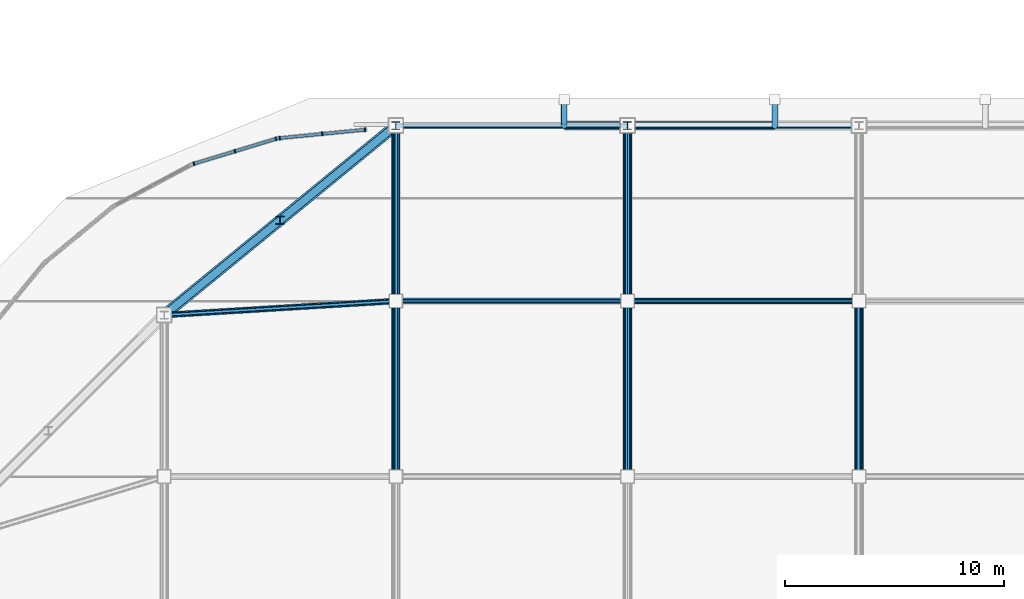
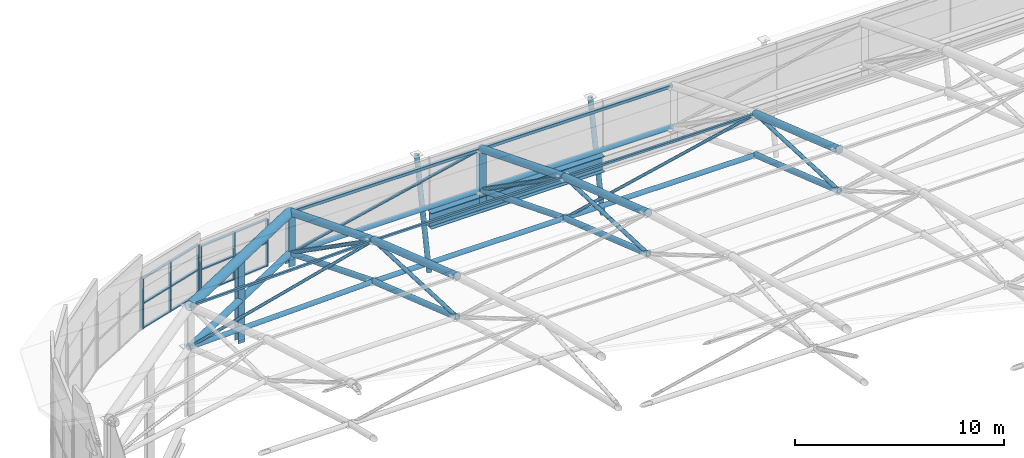
# One storey, part 22 of 42: 53 members, 1 beam, 2 elements without a shape of their own.
"""IFC4 building model written with IfcOpenShell, lengths in metres."""

import ifcopenshell
import ifcopenshell.guid

model = None  # the IFC model being written
_history = None  # IfcOwnerHistory: only IFC2X3 demands one
_inside = {}  # id of a spatial element -> (the spatial element, [elements in it])
_under = {}  # id of a project, library or spatial element -> (it, [spatial elements below it])
_declared = {}  # id of a project -> (the project, [libraries it declares])
_typed = {}  # id of a type object -> (the type object, [elements of that type])
_made_of = {}  # id of a material, layer set ... -> (it, [elements and type objects made of it])


def new_model(schema):
    """Start an empty IFC model of exactly this schema.

    Asked for "IFC4X3", IfcOpenShell would pick the latest addendum, in which some entities
    have other attributes; the version numbers below select the first issue.
    IFC2X3 requires an IfcOwnerHistory on every rooted entity: one is made here for all.
    """
    global model, _history
    if schema == "IFC4X3":
        model = ifcopenshell.file(schema_version=(4, 3, 0, 0))
    else:
        model = ifcopenshell.file(schema=schema)
    _inside.clear()
    _under.clear()
    _declared.clear()
    _typed.clear()
    _made_of.clear()
    _history = None
    if model.schema == "IFC2X3":
        org = make("IfcOrganization", Name="unknown")
        user = make(
            "IfcPersonAndOrganization",
            ThePerson=make("IfcPerson", FamilyName="unknown"),
            TheOrganization=org,
        )
        app = make(
            "IfcApplication",
            ApplicationDeveloper=org,
            Version="unknown",
            ApplicationFullName="unknown",
            ApplicationIdentifier="unknown",
        )
        _history = make(
            "IfcOwnerHistory",
            OwningUser=user,
            OwningApplication=app,
            ChangeAction="ADDED",
            CreationDate=0,
        )
    return model


def make(cls, **values):
    """One entity of the class cls with the attributes given. An attribute that is None is left unset."""
    return model.create_entity(
        cls, **{name: value for name, value in values.items() if value is not None}
    )


def rooted(cls, **values):
    """An entity with a GlobalId (a new one), such as an element, a storey or a relation."""
    return make(cls, GlobalId=ifcopenshell.guid.new(), OwnerHistory=_history, **values)


def si_unit(unit_type, name, prefix=None):
    """IfcSIUnit, for example si_unit("LENGTHUNIT", "METRE", prefix="MILLI")."""
    return make("IfcSIUnit", UnitType=unit_type, Prefix=prefix, Name=name)


def assignment(units):
    """IfcUnitAssignment: the units of a project."""
    return None if units is None else make("IfcUnitAssignment", Units=units)


def point(xyz):
    """IfcCartesianPoint."""
    return None if xyz is None else make("IfcCartesianPoint", Coordinates=xyz)


def direction(xyz):
    """IfcDirection."""
    return None if xyz is None else make("IfcDirection", DirectionRatios=xyz)


def frame(location, z_axis=None, x_axis=None):
    """IfcAxis2Placement3D, a coordinate frame: its origin and axes. An axis left out is left unset."""
    return make(
        "IfcAxis2Placement3D",
        Location=point(location),
        Axis=direction(z_axis),
        RefDirection=direction(x_axis),
    )


def frame_2d(location, x_axis=None):
    """IfcAxis2Placement2D, a coordinate frame in the plane: its origin and x axis."""
    return make(
        "IfcAxis2Placement2D", Location=point(location), RefDirection=direction(x_axis)
    )


def origin():
    """The frame at (0, 0, 0) with its axes left unset."""
    return frame((0.0, 0.0, 0.0))


def origin_2d():
    """The frame at (0, 0) in the plane with its x axis left unset."""
    return frame_2d((0.0, 0.0))


def place(relative_to, where):
    """IfcLocalPlacement: puts the frame where relative to a parent placement (None: the world)."""
    return make(
        "IfcLocalPlacement", PlacementRelTo=relative_to, RelativePlacement=where
    )


def context(
    kind, dimensions, precision=None, world=None, true_north=None, identifier=None
):
    """IfcGeometricRepresentationContext, for example the 3D "Model" context."""
    return make(
        "IfcGeometricRepresentationContext",
        ContextIdentifier=identifier,
        ContextType=kind,
        CoordinateSpaceDimension=dimensions,
        Precision=precision,
        WorldCoordinateSystem=world,
        TrueNorth=true_north,
    )


def subcontext(parent, identifier, kind, view, scale=None):
    """IfcGeometricRepresentationSubContext, for example "Body" below "Model"."""
    return make(
        "IfcGeometricRepresentationSubContext",
        ContextIdentifier=identifier,
        ContextType=kind,
        ParentContext=parent,
        TargetScale=scale,
        TargetView=view,
    )


def project(units=None, contexts=None):
    """IfcProject with its units and contexts."""
    return rooted(
        "IfcProject",
        Name="project",
        RepresentationContexts=contexts,
        UnitsInContext=assignment(units),
    )


def spatial(cls, under=None, at=None, **own):
    """A site, building, storey or space (cls), placed at a placement, below another one or the project."""
    s = rooted(cls, ObjectPlacement=at, **own)
    if under is not None:
        _under.setdefault(under.id(), (under, []))[1].append(s)
    return s


def profile(cls, at=None, kind="AREA", **sizes):
    """A parametric profile (cls). Its sizes go by their IFC names, for example OverallWidth=200.0."""
    return make(cls, ProfileType=kind, Position=at, **sizes)


def rectangle(**sizes):
    """IfcRectangleProfileDef."""
    return profile("IfcRectangleProfileDef", **sizes)


def hollow_rectangle(**sizes):
    """IfcRectangleHollowProfileDef."""
    return profile("IfcRectangleHollowProfileDef", **sizes)


def hollow_circle(**sizes):
    """IfcCircleHollowProfileDef."""
    return profile("IfcCircleHollowProfileDef", **sizes)


def i_section(**sizes):
    """IfcIShapeProfileDef."""
    return profile("IfcIShapeProfileDef", **sizes)


def extrude(swept, where, along, depth):
    """IfcExtrudedAreaSolid: the profile swept, set in the frame where, extruded along a direction by depth."""
    return make(
        "IfcExtrudedAreaSolid",
        SweptArea=swept,
        Position=where,
        ExtrudedDirection=direction(along),
        Depth=depth,
    )


def shape(context_of_items, identifier, shape_type, items):
    """IfcShapeRepresentation: the items that make up one representation, for example the "Body"."""
    return make(
        "IfcShapeRepresentation",
        ContextOfItems=context_of_items,
        RepresentationIdentifier=identifier,
        RepresentationType=shape_type,
        Items=items,
    )


def material(Name=None, Category=None):
    """IfcMaterial."""
    return make("IfcMaterial", Name=Name, Category=Category)


def layer(
    of_material, thickness, ventilated=None, Name=None, Category=None, Priority=None
):
    """IfcMaterialLayer: one layer of a wall or slab, of a material (None: an air gap)."""
    return make(
        "IfcMaterialLayer",
        Material=of_material,
        LayerThickness=thickness,
        IsVentilated=ventilated,
        Name=Name,
        Category=Category,
        Priority=Priority,
    )


def layer_set(layers, Name=None):
    """IfcMaterialLayerSet."""
    return make("IfcMaterialLayerSet", MaterialLayers=layers, LayerSetName=Name)


def material_profile(
    of_material, cross_section, Name=None, Category=None, Priority=None
):
    """IfcMaterialProfile: a cross section and its material."""
    return make(
        "IfcMaterialProfile",
        Name=Name,
        Material=of_material,
        Profile=cross_section,
        Priority=Priority,
        Category=Category,
    )


def profile_set(profiles, Name=None, composite=None):
    """IfcMaterialProfileSet."""
    return make(
        "IfcMaterialProfileSet",
        Name=Name,
        MaterialProfiles=profiles,
        CompositeProfile=composite,
    )


def made_of(thing, what):
    """Note that an element or type object is made of a material, layer set ...; save() writes the relation."""
    if what is not None:
        _made_of.setdefault(what.id(), (what, []))[1].append(thing)
    return thing


def type_object(cls, material=None, **own):
    """A type object (cls), such as IfcWallType, which elements share."""
    return made_of(rooted(cls, **own), material)


def element(
    cls,
    number,
    at=None,
    inside=None,
    cuts=None,
    type_object=None,
    material=None,
    context=None,
    identifier="Body",
    shape_type=None,
    held_by="IfcProductDefinitionShape",
    body=None,
    shapes=None,
    **own,
):
    """One element of the class cls, such as IfcWall. Its Tag is "e" and its number.

    at: its placement. inside: the storey or other place that contains it. cuts: it is an
    opening in that element (IfcRelVoidsElement). A single representation is given by context,
    identifier, shape_type and body (its items); several are given by shapes. held_by: the class
    of the entity that holds the representations. save() writes the other relations.
    """
    e = rooted(cls, Tag="e%d" % number, ObjectPlacement=at, **own)
    if body is not None:
        shapes = [shape(context, identifier, shape_type, body)]
    if shapes is not None:
        e.Representation = make(held_by, Representations=shapes)
    if inside is not None:
        _inside.setdefault(inside.id(), (inside, []))[1].append(e)
    if cuts is not None:
        rooted(
            "IfcRelVoidsElement", RelatingBuildingElement=cuts, RelatedOpeningElement=e
        )
    if type_object is not None:
        _typed.setdefault(type_object.id(), (type_object, []))[1].append(e)
    return made_of(e, material)


def aggregate(whole, parts):
    """IfcRelAggregates: a whole, such as a stair, and the parts it consists of."""
    return rooted("IfcRelAggregates", RelatingObject=whole, RelatedObjects=parts)


def save(model, path):
    """Write the relations noted so far, then the file.

    IfcRelAggregates (storeys below a building ...), IfcRelContainedInSpatialStructure (elements
    in a storey), IfcRelDefinesByType, IfcRelAssociatesMaterial and IfcRelDeclares: one each for
    every whole, place, type object, material and project.
    """
    for whole, parts in _under.values():
        aggregate(whole, parts)
    for where, things in _inside.values():
        rooted(
            "IfcRelContainedInSpatialStructure",
            RelatedElements=things,
            RelatingStructure=where,
        )
    for kind, things in _typed.values():
        rooted("IfcRelDefinesByType", RelatedObjects=things, RelatingType=kind)
    for what, things in _made_of.values():
        rooted("IfcRelAssociatesMaterial", RelatedObjects=things, RelatingMaterial=what)
    for by, libraries in _declared.values():
        rooted("IfcRelDeclares", RelatingContext=by, RelatedDefinitions=libraries)
    model.write(path)


model = new_model("IFC4")

# Units and contexts
model_context = context("Model", 3, precision=1e-05, world=origin(), true_north=direction((0.0, 1.0)))
body_context = subcontext(model_context, "Body", "Model", "MODEL_VIEW")
ifc_project = project(units=[si_unit("LENGTHUNIT", "METRE"), si_unit("AREAUNIT", "SQUARE_METRE"), si_unit("VOLUMEUNIT", "CUBIC_METRE"), si_unit("PLANEANGLEUNIT", "RADIAN"), si_unit("MASSUNIT", "GRAM", prefix="KILO")], contexts=[model_context])

# Site, building, storey
site_placement = place(None, origin())
site = spatial("IfcSite", under=ifc_project, at=site_placement, CompositionType="ELEMENT")
building_placement = place(site_placement, origin())
building = spatial("IfcBuilding", under=site, at=building_placement, Name="Caelomonte Colonnade Arena", CompositionType="ELEMENT")
storey_placement = place(building_placement, frame((0.0, 0.0, 28.199951171875)))
storey = spatial("IfcBuildingStorey", under=building, at=storey_placement, Name="RF", CompositionType="ELEMENT", Elevation=28.199951171875)

# Curtain wall, members
ifc_material_1 = material(Name="Bronze anodised aluminium and low-E glazing", Category="aluminium")
ifc_layer_1 = layer(ifc_material_1, 0.179931640625)
ifc_layer_set_1 = layer_set([ifc_layer_1], Name="Bronze anodised aluminium and low-E glazing")
curtain_wall_type_1 = type_object("IfcCurtainWallType", Name="ENV-CW-CW-TYMPC-01-28", PredefinedType="USERDEFINED", material=ifc_layer_set_1)
curtain_wall_1_placement = place(storey_placement, origin())
curtain_wall_1 = element("IfcCurtainWall", 1, at=curtain_wall_1_placement, inside=storey, type_object=curtain_wall_type_1, Name="Barrel arch rounded corner clerestory curtain wall 17", ObjectType="UNITIZED CURTAIN WALL", PredefinedType="USERDEFINED")
ifc_material_2 = material(Name="Bronze anodised aluminium AA6063-T6", Category="aluminium")
ifc_material_profile_1 = material_profile(ifc_material_2, rectangle(XDim=0.070068359375, YDim=0.179931640625, at=origin_2d()), Name="CWM-70X180")
ifc_profile_set_1 = profile_set([ifc_material_profile_1], Name="Bronze anodised aluminium AA6063-T6")
member_type_1 = type_object("IfcMemberType", Name="ENV-CW-MULL1", PredefinedType="MULLION", material=ifc_profile_set_1)
member_1_placement = place(storey_placement, frame((77.3154296875, 115.01171875, -0.14990234375), z_axis=(0.0, 0.0, 1.0), x_axis=(-0.995183320356, -0.098031417843, 0.0)))
member_1 = element("IfcMember", 2, at=member_1_placement, type_object=member_type_1, Name="CW-TYMPC-01-28 mullion 1", PredefinedType="MULLION", context=body_context, shape_type="SweptSolid", body=[
    extrude(rectangle(XDim=0.070068359375, YDim=0.179931640625, at=origin_2d()), origin(), (0.0, 0.0, 1.0), 2.7763671875),
])
member_2_placement = place(storey_placement, frame((75.369140625, 114.820068359375, -0.14990234375), z_axis=(0.0, 0.0, 1.0), x_axis=(-0.995183320356, -0.098031417843, 0.0)))
member_2 = element("IfcMember", 3, at=member_2_placement, type_object=member_type_1, Name="CW-TYMPC-01-28 mullion 2", PredefinedType="MULLION", context=body_context, shape_type="SweptSolid", body=[
    extrude(rectangle(XDim=0.070068359375, YDim=0.179931640625, at=origin_2d()), origin(), (0.0, 0.0, 1.0), 2.7763671875),
])
member_3_placement = place(storey_placement, frame((73.4228515625, 114.628173828125, -0.14990234375), z_axis=(0.0, 0.0, 1.0), x_axis=(-0.995183320356, -0.098031417843, 0.0)))
member_3 = element("IfcMember", 4, at=member_3_placement, type_object=member_type_1, Name="CW-TYMPC-01-28 mullion 3", PredefinedType="MULLION", context=body_context, shape_type="SweptSolid", body=[
    extrude(rectangle(XDim=0.070068359375, YDim=0.179931640625, at=origin_2d()), origin(), (0.0, 0.0, 1.0), 2.7763671875),
])

ifc_layer_2 = layer(ifc_material_1, 0.179931640625)
ifc_layer_set_2 = layer_set([ifc_layer_2], Name="Bronze anodised aluminium and low-E glazing")
curtain_wall_type_2 = type_object("IfcCurtainWallType", Name="ENV-CW-CW-TYMPC-02-29", PredefinedType="USERDEFINED", material=ifc_layer_set_2)
curtain_wall_2_placement = place(storey_placement, origin())
curtain_wall_2 = element("IfcCurtainWall", 5, at=curtain_wall_2_placement, inside=storey, type_object=curtain_wall_type_2, Name="Barrel arch rounded corner clerestory curtain wall 18", ObjectType="UNITIZED CURTAIN WALL", PredefinedType="USERDEFINED")
member_4_placement = place(storey_placement, frame((73.2568359375, 114.59521484375, -0.14990234375), z_axis=(0.0, 0.0, 1.0), x_axis=(-0.956945999811, -0.290266004632, 0.0)))
member_4 = element("IfcMember", 6, at=member_4_placement, type_object=member_type_1, Name="CW-TYMPC-02-29 mullion 1", PredefinedType="MULLION", context=body_context, shape_type="SweptSolid", body=[
    extrude(rectangle(XDim=0.070068359375, YDim=0.179931640625, at=origin_2d()), origin(), (0.0, 0.0, 1.0), 2.945556640625),
])
member_5_placement = place(storey_placement, frame((71.38525390625, 114.027587890625, -0.14990234375), z_axis=(0.0, 0.0, 1.0), x_axis=(-0.956945999811, -0.290266004632, 0.0)))
member_5 = element("IfcMember", 7, at=member_5_placement, type_object=member_type_1, Name="CW-TYMPC-02-29 mullion 2", PredefinedType="MULLION", context=body_context, shape_type="SweptSolid", body=[
    extrude(rectangle(XDim=0.070068359375, YDim=0.179931640625, at=origin_2d()), origin(), (0.0, 0.0, 1.0), 2.945556640625),
])
member_6_placement = place(storey_placement, frame((69.513671875, 113.4599609375, -0.14990234375), z_axis=(0.0, 0.0, 1.0), x_axis=(-0.956945999811, -0.290266004632, 0.0)))
member_6 = element("IfcMember", 8, at=member_6_placement, type_object=member_type_1, Name="CW-TYMPC-02-29 mullion 3", PredefinedType="MULLION", context=body_context, shape_type="SweptSolid", body=[
    extrude(rectangle(XDim=0.070068359375, YDim=0.179931640625, at=origin_2d()), origin(), (0.0, 0.0, 1.0), 2.945556640625),
])

# Member
ifc_material_profile_2 = material_profile(ifc_material_2, rectangle(XDim=0.070068359375, YDim=0.139892578125, at=origin_2d()), Name="CWT-70X140")
ifc_profile_set_2 = profile_set([ifc_material_profile_2], Name="Bronze anodised aluminium AA6063-T6")
member_type_2 = type_object("IfcMemberType", Name="ENV-CW-TRAN1", PredefinedType="USERDEFINED", material=ifc_profile_set_2)
member_7_placement = place(storey_placement, frame((77.280517578125, 115.00830078125, -0.114990234375), z_axis=(-0.995184788891, -0.098016508612, 0.0), x_axis=(0.0, 0.0, 1.0)))
member_7 = element("IfcMember", 9, at=member_7_placement, type_object=member_type_2, Name="CW-TYMPC-01-28 transom 1.1", ObjectType="TRANSOM", PredefinedType="USERDEFINED", context=body_context, shape_type="SweptSolid", body=[
    extrude(rectangle(XDim=0.070068359375, YDim=0.139892578125, at=origin_2d()), origin(), (0.0, 0.0, 1.0), 1.885498046875),
])

member_8_placement = place(storey_placement, frame((77.280517578125, 115.00830078125, 1.23828125), z_axis=(-0.995184788891, -0.098016508612, 0.0), x_axis=(0.0, 0.0, 1.0)))
member_8 = element("IfcMember", 10, at=member_8_placement, type_object=member_type_2, Name="CW-TYMPC-01-28 transom 1.2", ObjectType="TRANSOM", PredefinedType="USERDEFINED", context=body_context, shape_type="SweptSolid", body=[
    extrude(rectangle(XDim=0.070068359375, YDim=0.139892578125, at=origin_2d()), origin(), (0.0, 0.0, 1.0), 1.885498046875),
])

member_9_placement = place(storey_placement, frame((77.280517578125, 115.00830078125, 2.591552734375), z_axis=(-0.995184788891, -0.098016508612, 0.0), x_axis=(0.0, 0.0, 1.0)))
member_9 = element("IfcMember", 11, at=member_9_placement, type_object=member_type_2, Name="CW-TYMPC-01-28 transom 1.3", ObjectType="TRANSOM", PredefinedType="USERDEFINED", context=body_context, shape_type="SweptSolid", body=[
    extrude(rectangle(XDim=0.070068359375, YDim=0.139892578125, at=origin_2d()), origin(), (0.0, 0.0, 1.0), 1.885498046875),
])

member_10_placement = place(storey_placement, frame((75.334228515625, 114.81640625, -0.114990234375), z_axis=(-0.995184788891, -0.098016508612, 0.0), x_axis=(0.0, 0.0, 1.0)))
member_10 = element("IfcMember", 12, at=member_10_placement, type_object=member_type_2, Name="CW-TYMPC-01-28 transom 2.1", ObjectType="TRANSOM", PredefinedType="USERDEFINED", context=body_context, shape_type="SweptSolid", body=[
    extrude(rectangle(XDim=0.070068359375, YDim=0.139892578125, at=origin_2d()), origin(), (0.0, 0.0, 1.0), 1.885498046875),
])

member_11_placement = place(storey_placement, frame((75.334228515625, 114.81640625, 1.23828125), z_axis=(-0.995184788891, -0.098016508612, 0.0), x_axis=(0.0, 0.0, 1.0)))
member_11 = element("IfcMember", 13, at=member_11_placement, type_object=member_type_2, Name="CW-TYMPC-01-28 transom 2.2", ObjectType="TRANSOM", PredefinedType="USERDEFINED", context=body_context, shape_type="SweptSolid", body=[
    extrude(rectangle(XDim=0.070068359375, YDim=0.139892578125, at=origin_2d()), origin(), (0.0, 0.0, 1.0), 1.885498046875),
])

member_12_placement = place(storey_placement, frame((75.334228515625, 114.81640625, 2.591552734375), z_axis=(-0.995184788891, -0.098016508612, 0.0), x_axis=(0.0, 0.0, 1.0)))
member_12 = element("IfcMember", 14, at=member_12_placement, type_object=member_type_2, Name="CW-TYMPC-01-28 transom 2.3", ObjectType="TRANSOM", PredefinedType="USERDEFINED", context=body_context, shape_type="SweptSolid", body=[
    extrude(rectangle(XDim=0.070068359375, YDim=0.139892578125, at=origin_2d()), origin(), (0.0, 0.0, 1.0), 1.885498046875),
])

aggregate(curtain_wall_1, [member_1, member_2, member_3, member_7, member_8, member_9, member_10, member_11, member_12])

member_13_placement = place(storey_placement, frame((73.223388671875, 114.5849609375, -0.114990234375), z_axis=(-0.956941606706, -0.290280487381, 0.0), x_axis=(0.0, 0.0, 1.0)))
member_13 = element("IfcMember", 15, at=member_13_placement, type_object=member_type_2, Name="CW-TYMPC-02-29 transom 1.1", ObjectType="TRANSOM", PredefinedType="USERDEFINED", context=body_context, shape_type="SweptSolid", body=[
    extrude(rectangle(XDim=0.070068359375, YDim=0.139892578125, at=origin_2d()), origin(), (0.0, 0.0, 1.0), 1.8857421875),
])

member_14_placement = place(storey_placement, frame((73.223388671875, 114.5849609375, 1.32275390625), z_axis=(-0.956941606706, -0.290280487381, 0.0), x_axis=(0.0, 0.0, 1.0)))
member_14 = element("IfcMember", 16, at=member_14_placement, type_object=member_type_2, Name="CW-TYMPC-02-29 transom 1.2", ObjectType="TRANSOM", PredefinedType="USERDEFINED", context=body_context, shape_type="SweptSolid", body=[
    extrude(rectangle(XDim=0.070068359375, YDim=0.139892578125, at=origin_2d()), origin(), (0.0, 0.0, 1.0), 1.8857421875),
])

member_15_placement = place(storey_placement, frame((73.223388671875, 114.5849609375, 2.760498046875), z_axis=(-0.956941606706, -0.290280487381, 0.0), x_axis=(0.0, 0.0, 1.0)))
member_15 = element("IfcMember", 17, at=member_15_placement, type_object=member_type_2, Name="CW-TYMPC-02-29 transom 1.3", ObjectType="TRANSOM", PredefinedType="USERDEFINED", context=body_context, shape_type="SweptSolid", body=[
    extrude(rectangle(XDim=0.070068359375, YDim=0.139892578125, at=origin_2d()), origin(), (0.0, 0.0, 1.0), 1.8857421875),
])

member_16_placement = place(storey_placement, frame((71.351806640625, 114.017333984375, -0.114990234375), z_axis=(-0.956941606706, -0.290280487381, 0.0), x_axis=(0.0, 0.0, 1.0)))
member_16 = element("IfcMember", 18, at=member_16_placement, type_object=member_type_2, Name="CW-TYMPC-02-29 transom 2.1", ObjectType="TRANSOM", PredefinedType="USERDEFINED", context=body_context, shape_type="SweptSolid", body=[
    extrude(rectangle(XDim=0.070068359375, YDim=0.139892578125, at=origin_2d()), origin(), (0.0, 0.0, 1.0), 1.8857421875),
])

member_17_placement = place(storey_placement, frame((71.351806640625, 114.017333984375, 1.32275390625), z_axis=(-0.956941606706, -0.290280487381, 0.0), x_axis=(0.0, 0.0, 1.0)))
member_17 = element("IfcMember", 19, at=member_17_placement, type_object=member_type_2, Name="CW-TYMPC-02-29 transom 2.2", ObjectType="TRANSOM", PredefinedType="USERDEFINED", context=body_context, shape_type="SweptSolid", body=[
    extrude(rectangle(XDim=0.070068359375, YDim=0.139892578125, at=origin_2d()), origin(), (0.0, 0.0, 1.0), 1.8857421875),
])

member_18_placement = place(storey_placement, frame((71.351806640625, 114.017333984375, 2.760498046875), z_axis=(-0.956941606706, -0.290280487381, 0.0), x_axis=(0.0, 0.0, 1.0)))
member_18 = element("IfcMember", 20, at=member_18_placement, type_object=member_type_2, Name="CW-TYMPC-02-29 transom 2.3", ObjectType="TRANSOM", PredefinedType="USERDEFINED", context=body_context, shape_type="SweptSolid", body=[
    extrude(rectangle(XDim=0.070068359375, YDim=0.139892578125, at=origin_2d()), origin(), (0.0, 0.0, 1.0), 1.8857421875),
])

aggregate(curtain_wall_2, [member_4, member_5, member_6, member_13, member_14, member_15, member_16, member_17, member_18])

# Beam
ifc_material_3 = material(Name="Wide-flange steel ASTM A992 Grade 50", Category="steel")
ifc_material_profile_3 = material_profile(ifc_material_3, i_section(OverallWidth=0.418212890625, OverallDepth=0.927001953125, WebThickness=0.019287109375, FlangeThickness=0.031982421875, FilletRadius=0.024169921875, at=origin_2d()), Name="W36X231")
ifc_profile_set_3 = profile_set([ifc_material_profile_3], Name="Wide-flange steel ASTM A992 Grade 50")
beam_type = type_object("IfcBeamType", Name="STR-BM-EAVES1", PredefinedType="SPANDREL", material=ifc_profile_set_3)
beam_placement = place(storey_placement, frame((86.408203125, 115.199951171875, -0.743408203125), z_axis=(1.0, 0.0, 0.0), x_axis=(0.0, 1.0, 0.0)))
element("IfcBeam", 21, at=beam_placement, inside=storey, type_object=beam_type, Name="RF girder BMX-RF-0864-1152", PredefinedType="SPANDREL", context=body_context, shape_type="SweptSolid", body=[
    extrude(i_section(OverallWidth=0.418212890625, OverallDepth=0.927001953125, WebThickness=0.019287109375, FlangeThickness=0.031982421875, FilletRadius=0.024169921875, at=origin_2d()), origin(), (0.0, 0.0, 1.0), 9.58349609375),
])

# Members
ifc_material_profile_4 = material_profile(ifc_material_3, i_section(OverallWidth=0.368896484375, OverallDepth=0.356201171875, WebThickness=0.01123046875, FlangeThickness=0.01806640625, FilletRadius=0.01513671875, at=origin_2d()), Name="W14X90")
ifc_profile_set_4 = profile_set([ifc_material_profile_4], Name="Wide-flange steel ASTM A992 Grade 50")
member_type_3 = type_object("IfcMemberType", Name="STR-CAT-STR", PredefinedType="STRUT", material=ifc_profile_set_4)
for number, where, z_axis, x_axis, name in (
    (22, (78.719970703125, 115.199951171875, -0.699951171875), (0.0, 0.0, 1.0), (1.0, 0.0, 0.0), "Roof truss eaves bearing post 2-12"),
    (23, (89.280029296875, 115.199951171875, -0.699951171875), (0.0, 0.0, 1.0), (1.0, 0.0, 0.0), "Roof truss eaves bearing post 3-12"),
):
    element("IfcMember", number, at=place(storey_placement, frame(where, z_axis=z_axis, x_axis=x_axis)), inside=storey, type_object=member_type_3, Name=name, PredefinedType="STRUT", context=body_context, shape_type="SweptSolid", body=[
        extrude(i_section(OverallWidth=0.368896484375, OverallDepth=0.356201171875, WebThickness=0.01123046875, FlangeThickness=0.01806640625, FilletRadius=0.01513671875, at=origin_2d()), origin(), (0.0, 0.0, 1.0), 3.10009765625),
    ])
member_19_placement = place(storey_placement, frame((73.43994140625, 110.8798828125, -0.699951171875), z_axis=(0.0, 0.0, 1.0), x_axis=(1.0, 0.0, 0.0)))
element("IfcMember", 24, at=member_19_placement, inside=storey, type_object=member_type_3, Name="Rounded corner roof Vierendeel post NW-1", PredefinedType="STRUT", context=body_context, shape_type="SweptSolid", body=[
    extrude(i_section(OverallWidth=0.368896484375, OverallDepth=0.356201171875, WebThickness=0.01123046875, FlangeThickness=0.01806640625, FilletRadius=0.01513671875, at=origin_2d()), origin(), (0.0, 0.0, 1.0), 4.810546875),
])
ifc_material_4 = material(Name="Steel ASTM A500 Grade C", Category="steel")
ifc_material_profile_5 = material_profile(ifc_material_4, hollow_circle(Radius=0.177734375, WallThickness=0.0126953125, at=origin_2d()), Name="CHS355.6X12.7")
ifc_profile_set_5 = profile_set([ifc_material_profile_5], Name="Steel ASTM A500 Grade C")
member_type_4 = type_object("IfcMemberType", Name="STR-SF-BC1", PredefinedType="CHORD", material=ifc_profile_set_5)
member_20_placement = place(storey_placement, frame((78.718505859375, 115.19873046875, 0.00048828125), z_axis=(-0.750717484675, -0.614223396552, 0.243213645448), x_axis=(0.633237790257, -0.773957299203, 0.0)))
element("IfcMember", 25, at=member_20_placement, inside=storey, type_object=member_type_4, Name="Rounded corner roof bottom chord NW-1", PredefinedType="CHORD", context=body_context, shape_type="SweptSolid", body=[
    extrude(hollow_circle(Radius=0.177734375, WallThickness=0.0126953125, at=origin_2d()), origin(), (0.0, 0.0, 1.0), 14.0625),
])
ifc_material_profile_6 = material_profile(ifc_material_4, hollow_circle(Radius=0.161865234375, WallThickness=0.010009765625, at=origin_2d()), Name="CHS323.9X10.0")
ifc_profile_set_6 = profile_set([ifc_material_profile_6], Name="Steel ASTM A500 Grade C")
member_type_5 = type_object("IfcMemberType", Name="STR-SF-BC2", PredefinedType="CHORD", material=ifc_profile_set_6)
member_21_placement = place(storey_placement, frame((78.719970703125, 99.201904296875, 5.935302734375), z_axis=(0.0, 0.945655527912, -0.325170143971), x_axis=(-1.0, 0.0, 0.0)))
element("IfcMember", 26, at=member_21_placement, inside=storey, type_object=member_type_5, Name="Arched roof truss bottom chord 2-10", PredefinedType="CHORD", context=body_context, shape_type="SweptSolid", body=[
    extrude(hollow_circle(Radius=0.161865234375, WallThickness=0.010009765625, at=origin_2d()), origin(), (0.0, 0.0, 1.0), 8.45556640625),
])
member_22_placement = place(storey_placement, frame((78.719970703125, 107.201904296875, 3.184326171875), z_axis=(0.0, 0.929070225575, -0.36990338732), x_axis=(-1.0, 0.0, 0.0)))
element("IfcMember", 27, at=member_22_placement, inside=storey, type_object=member_type_5, Name="Arched roof truss bottom chord 2-11", PredefinedType="CHORD", context=body_context, shape_type="SweptSolid", body=[
    extrude(hollow_circle(Radius=0.161865234375, WallThickness=0.010009765625, at=origin_2d()), origin(), (0.0, 0.0, 1.0), 8.6064453125),
])
member_23_placement = place(storey_placement, frame((89.280029296875, 99.201904296875, 5.935302734375), z_axis=(0.0, 0.945655527912, -0.325170143971), x_axis=(-1.0, 0.0, 0.0)))
element("IfcMember", 28, at=member_23_placement, inside=storey, type_object=member_type_5, Name="Arched roof truss bottom chord 3-10", PredefinedType="CHORD", context=body_context, shape_type="SweptSolid", body=[
    extrude(hollow_circle(Radius=0.161865234375, WallThickness=0.010009765625, at=origin_2d()), origin(), (0.0, 0.0, 1.0), 8.45556640625),
])
member_24_placement = place(storey_placement, frame((89.280029296875, 107.201904296875, 3.184326171875), z_axis=(0.0, 0.929070225575, -0.36990338732), x_axis=(-1.0, 0.0, 0.0)))
element("IfcMember", 29, at=member_24_placement, inside=storey, type_object=member_type_5, Name="Arched roof truss bottom chord 3-11", PredefinedType="CHORD", context=body_context, shape_type="SweptSolid", body=[
    extrude(hollow_circle(Radius=0.161865234375, WallThickness=0.010009765625, at=origin_2d()), origin(), (0.0, 0.0, 1.0), 8.6064453125),
])
member_25_placement = place(storey_placement, frame((99.840087890625, 99.201904296875, 5.935302734375), z_axis=(0.0, 0.945655527912, -0.325170143971), x_axis=(-1.0, 0.0, 0.0)))
element("IfcMember", 30, at=member_25_placement, inside=storey, type_object=member_type_5, Name="Arched roof truss bottom chord 4-10", PredefinedType="CHORD", context=body_context, shape_type="SweptSolid", body=[
    extrude(hollow_circle(Radius=0.161865234375, WallThickness=0.010009765625, at=origin_2d()), origin(), (0.0, 0.0, 1.0), 8.45556640625),
])
ifc_material_profile_7 = material_profile(ifc_material_4, hollow_rectangle(XDim=0.177734375, YDim=0.177734375, WallThickness=0.008056640625, InnerFilletRadius=0.008056640625, OuterFilletRadius=0.01611328125, at=origin_2d()), Name="HSS178X178X8.0")
ifc_profile_set_7 = profile_set([ifc_material_profile_7], Name="Steel ASTM A500 Grade C")
member_type_6 = type_object("IfcMemberType", Name="STR-SF-PUR1", PredefinedType="PURLIN", material=ifc_profile_set_7)
member_26_placement = place(storey_placement, frame((78.721923828125, 115.199951171875, 2.400146484375), z_axis=(1.0, 0.0, 0.0), x_axis=(0.0, 1.0, 0.0)))
element("IfcMember", 31, at=member_26_placement, inside=storey, type_object=member_type_6, Name="Arched roof purlin 2-12", PredefinedType="PURLIN", context=body_context, shape_type="SweptSolid", body=[
    extrude(hollow_rectangle(XDim=0.177734375, YDim=0.177734375, WallThickness=0.008056640625, InnerFilletRadius=0.008056640625, OuterFilletRadius=0.01611328125, at=origin_2d()), origin(), (0.0, 0.0, 1.0), 10.55615234375),
])
member_27_placement = place(storey_placement, frame((89.281982421875, 115.199951171875, 2.400146484375), z_axis=(1.0, 0.0, 0.0), x_axis=(0.0, 1.0, 0.0)))
element("IfcMember", 32, at=member_27_placement, inside=storey, type_object=member_type_6, Name="Arched roof purlin 3-12", PredefinedType="PURLIN", context=body_context, shape_type="SweptSolid", body=[
    extrude(hollow_rectangle(XDim=0.177734375, YDim=0.177734375, WallThickness=0.008056640625, InnerFilletRadius=0.008056640625, OuterFilletRadius=0.01611328125, at=origin_2d()), origin(), (0.0, 0.0, 1.0), 10.555908203125),
])
ifc_material_profile_8 = material_profile(ifc_material_4, hollow_rectangle(XDim=0.126953125, YDim=0.126953125, WallThickness=0.00634765625, InnerFilletRadius=0.00634765625, OuterFilletRadius=0.0126953125, at=origin_2d()), Name="HSS127X127X6.4")
ifc_profile_set_8 = profile_set([ifc_material_profile_8], Name="Steel ASTM A500 Grade C")
member_type_7 = type_object("IfcMemberType", Name="STR-SF-PUR3", PredefinedType="PURLIN", material=ifc_profile_set_8)
member_28_placement = place(storey_placement, frame((68.162109375, 106.56005859375, 5.821044921875), z_axis=(0.997919060168, 0.060493231647, -0.022318563526), x_axis=(-0.06050830367, 0.998167693921, 0.0)))
element("IfcMember", 33, at=member_28_placement, inside=storey, type_object=member_type_7, Name="Arched roof purlin 1-11", PredefinedType="PURLIN", context=body_context, shape_type="SweptSolid", body=[
    extrude(hollow_rectangle(XDim=0.126953125, YDim=0.126953125, WallThickness=0.00634765625, InnerFilletRadius=0.00634765625, OuterFilletRadius=0.0126953125, at=origin_2d()), origin(), (0.0, 0.0, 1.0), 10.577880859375),
])
member_29_placement = place(storey_placement, frame((78.721923828125, 107.199951171875, 5.5849609375), z_axis=(1.0, 0.0, 0.0), x_axis=(0.0, 1.0, 0.0)))
element("IfcMember", 34, at=member_29_placement, inside=storey, type_object=member_type_7, Name="Arched roof purlin 2-11", PredefinedType="PURLIN", context=body_context, shape_type="SweptSolid", body=[
    extrude(hollow_rectangle(XDim=0.126953125, YDim=0.126953125, WallThickness=0.00634765625, InnerFilletRadius=0.00634765625, OuterFilletRadius=0.0126953125, at=origin_2d()), origin(), (0.0, 0.0, 1.0), 10.55615234375),
])
member_30_placement = place(storey_placement, frame((89.281982421875, 107.199951171875, 5.5849609375), z_axis=(1.0, 0.0, 0.0), x_axis=(0.0, 1.0, 0.0)))
element("IfcMember", 35, at=member_30_placement, inside=storey, type_object=member_type_7, Name="Arched roof purlin 3-11", PredefinedType="PURLIN", context=body_context, shape_type="SweptSolid", body=[
    extrude(hollow_rectangle(XDim=0.126953125, YDim=0.126953125, WallThickness=0.00634765625, InnerFilletRadius=0.00634765625, OuterFilletRadius=0.0126953125, at=origin_2d()), origin(), (0.0, 0.0, 1.0), 10.555908203125),
])
ifc_material_profile_9 = material_profile(ifc_material_4, hollow_circle(Radius=0.25390625, WallThickness=0.015869140625, at=origin_2d()), Name="CHS508X15.9")
ifc_profile_set_9 = profile_set([ifc_material_profile_9], Name="Steel ASTM A500 Grade C")
member_type_8 = type_object("IfcMemberType", Name="STR-SF-TC1", PredefinedType="CHORD", material=ifc_profile_set_9)
member_31_placement = place(storey_placement, frame((78.718505859375, 115.19873046875, 2.400634765625), z_axis=(-0.750720654479, -0.614225990029, 0.243197311069), x_axis=(0.633237790257, -0.773957299203, 0.0)))
element("IfcMember", 36, at=member_31_placement, inside=storey, type_object=member_type_8, Name="Rounded corner roof top chord NW-1", PredefinedType="CHORD", context=body_context, shape_type="SweptSolid", body=[
    extrude(hollow_circle(Radius=0.25390625, WallThickness=0.015869140625, at=origin_2d()), origin(), (0.0, 0.0, 1.0), 14.062255859375),
])
ifc_material_profile_10 = material_profile(ifc_material_4, hollow_circle(Radius=0.203125, WallThickness=0.0126953125, at=origin_2d()), Name="CHS406.4X12.7")
ifc_profile_set_10 = profile_set([ifc_material_profile_10], Name="Steel ASTM A500 Grade C")
member_type_9 = type_object("IfcMemberType", Name="STR-SF-TC2", PredefinedType="CHORD", material=ifc_profile_set_10)
member_32_placement = place(storey_placement, frame((78.719970703125, 99.201904296875, 8.33544921875), z_axis=(0.0, 0.945646649159, -0.325195963895), x_axis=(-1.0, 0.0, 0.0)))
element("IfcMember", 37, at=member_32_placement, inside=storey, type_object=member_type_9, Name="Arched roof truss top chord 2-10", PredefinedType="CHORD", context=body_context, shape_type="SweptSolid", body=[
    extrude(hollow_circle(Radius=0.203125, WallThickness=0.0126953125, at=origin_2d()), origin(), (0.0, 0.0, 1.0), 8.455810546875),
])
member_33_placement = place(storey_placement, frame((78.719970703125, 107.201904296875, 5.584228515625), z_axis=(0.0, 0.929070225575, -0.36990338732), x_axis=(-1.0, 0.0, 0.0)))
element("IfcMember", 38, at=member_33_placement, inside=storey, type_object=member_type_9, Name="Arched roof truss top chord 2-11", PredefinedType="CHORD", context=body_context, shape_type="SweptSolid", body=[
    extrude(hollow_circle(Radius=0.203125, WallThickness=0.0126953125, at=origin_2d()), origin(), (0.0, 0.0, 1.0), 8.6064453125),
])
member_34_placement = place(storey_placement, frame((89.280029296875, 99.201904296875, 8.33544921875), z_axis=(0.0, 0.945646649159, -0.325195963895), x_axis=(-1.0, 0.0, 0.0)))
element("IfcMember", 39, at=member_34_placement, inside=storey, type_object=member_type_9, Name="Arched roof truss top chord 3-10", PredefinedType="CHORD", context=body_context, shape_type="SweptSolid", body=[
    extrude(hollow_circle(Radius=0.203125, WallThickness=0.0126953125, at=origin_2d()), origin(), (0.0, 0.0, 1.0), 8.455810546875),
])
member_35_placement = place(storey_placement, frame((89.280029296875, 107.201904296875, 5.584228515625), z_axis=(0.0, 0.929070225575, -0.36990338732), x_axis=(-1.0, 0.0, 0.0)))
element("IfcMember", 40, at=member_35_placement, inside=storey, type_object=member_type_9, Name="Arched roof truss top chord 3-11", PredefinedType="CHORD", context=body_context, shape_type="SweptSolid", body=[
    extrude(hollow_circle(Radius=0.203125, WallThickness=0.0126953125, at=origin_2d()), origin(), (0.0, 0.0, 1.0), 8.6064453125),
])
member_36_placement = place(storey_placement, frame((99.840087890625, 99.201904296875, 8.33544921875), z_axis=(0.0, 0.945646649159, -0.325195963895), x_axis=(-1.0, 0.0, 0.0)))
element("IfcMember", 41, at=member_36_placement, inside=storey, type_object=member_type_9, Name="Arched roof truss top chord 4-10", PredefinedType="CHORD", context=body_context, shape_type="SweptSolid", body=[
    extrude(hollow_circle(Radius=0.203125, WallThickness=0.0126953125, at=origin_2d()), origin(), (0.0, 0.0, 1.0), 8.455810546875),
])
ifc_material_profile_11 = material_profile(ifc_material_4, hollow_circle(Radius=0.136474609375, WallThickness=0.00927734375, at=origin_2d()), Name="CHS273.0X9.3")
ifc_profile_set_11 = profile_set([ifc_material_profile_11], Name="Steel ASTM A500 Grade C")
member_type_10 = type_object("IfcMemberType", Name="STR-SF-TIE", PredefinedType="STRUT", material=ifc_profile_set_11)
member_37_placement = place(storey_placement, frame((68.162109375, 106.56005859375, 3.421142578125), z_axis=(0.997919060168, 0.060493231647, -0.022318563526), x_axis=(-0.06050830367, 0.998167693921, 0.0)))
element("IfcMember", 42, at=member_37_placement, inside=storey, type_object=member_type_10, Name="Space frame roof tie strut 1-11", PredefinedType="STRUT", context=body_context, shape_type="SweptSolid", body=[
    extrude(hollow_circle(Radius=0.136474609375, WallThickness=0.00927734375, at=origin_2d()), origin(), (0.0, 0.0, 1.0), 10.577880859375),
])
for number, where, z_axis, x_axis, name in (
    (43, (78.721923828125, 107.199951171875, 3.18505859375), (1.0, 0.0, 0.0), (0.0, 1.0, 0.0), "Space frame roof tie strut 2-11"),
    (44, (78.721923828125, 115.199951171875, 0.0), (1.0, 0.0, 0.0), (0.0, 1.0, 0.0), "Space frame roof tie strut 2-12"),
):
    element("IfcMember", number, at=place(storey_placement, frame(where, z_axis=z_axis, x_axis=x_axis)), inside=storey, type_object=member_type_10, Name=name, PredefinedType="STRUT", context=body_context, shape_type="SweptSolid", body=[
        extrude(hollow_circle(Radius=0.136474609375, WallThickness=0.00927734375, at=origin_2d()), origin(), (0.0, 0.0, 1.0), 10.55615234375),
    ])
for number, where, z_axis, x_axis, name in (
    (45, (89.281982421875, 107.199951171875, 3.18505859375), (1.0, 0.0, 0.0), (0.0, 1.0, 0.0), "Space frame roof tie strut 3-11"),
    (46, (89.281982421875, 115.199951171875, 0.0), (1.0, 0.0, 0.0), (0.0, 1.0, 0.0), "Space frame roof tie strut 3-12"),
):
    element("IfcMember", number, at=place(storey_placement, frame(where, z_axis=z_axis, x_axis=x_axis)), inside=storey, type_object=member_type_10, Name=name, PredefinedType="STRUT", context=body_context, shape_type="SweptSolid", body=[
        extrude(hollow_circle(Radius=0.136474609375, WallThickness=0.00927734375, at=origin_2d()), origin(), (0.0, 0.0, 1.0), 10.555908203125),
    ])
for number, where, z_axis, x_axis, name in (
    (47, (86.39990234375, 115.200439453125, -3.7978515625), (0.0, 0.19151035942, 0.981490592026), (-1.0, 0.0, 0.0), "Roof eaves overhang inclined strut 12"),
    (48, (96.0, 115.200439453125, -3.7978515625), (0.0, 0.19151035942, 0.981490592026), (-1.0, 0.0, 0.0), "Roof eaves overhang inclined strut 14"),
):
    element("IfcMember", number, at=place(storey_placement, frame(where, z_axis=z_axis, x_axis=x_axis)), inside=storey, type_object=member_type_10, Name=name, PredefinedType="STRUT", context=body_context, shape_type="SweptSolid", body=[
        extrude(hollow_circle(Radius=0.136474609375, WallThickness=0.00927734375, at=origin_2d()), origin(), (0.0, 0.0, 1.0), 6.261962890625),
    ])
ifc_material_profile_12 = material_profile(ifc_material_4, hollow_circle(Radius=0.109619140625, WallThickness=0.00830078125, at=origin_2d()), Name="CHS219.1X8.2")
ifc_profile_set_12 = profile_set([ifc_material_profile_12], Name="Steel ASTM A500 Grade C")
member_type_11 = type_object("IfcMemberType", Name="STR-SF-WEB1", PredefinedType="BRACE", material=ifc_profile_set_12)
member_38_placement = place(storey_placement, frame((78.719970703125, 99.201904296875, 5.93603515625), z_axis=(0.0, 0.999038871579, -0.043833013509), x_axis=(-1.0, 0.0, 0.0)))
element("IfcMember", 49, at=member_38_placement, inside=storey, type_object=member_type_11, Name="Space frame roof truss web diagonal 2-10", PredefinedType="BRACE", context=body_context, shape_type="SweptSolid", body=[
    extrude(hollow_circle(Radius=0.109619140625, WallThickness=0.00830078125, at=origin_2d()), origin(), (0.0, 0.0, 1.0), 8.00390625),
])
member_39_placement = place(storey_placement, frame((78.719970703125, 107.20166015625, 5.583984375), z_axis=(0.0, 0.819954536619, -0.572428648722), x_axis=(-1.0, 0.0, 0.0)))
element("IfcMember", 50, at=member_39_placement, inside=storey, type_object=member_type_11, Name="Space frame roof truss web diagonal 2-11", PredefinedType="BRACE", context=body_context, shape_type="SweptSolid", body=[
    extrude(hollow_circle(Radius=0.109619140625, WallThickness=0.00830078125, at=origin_2d()), origin(), (0.0, 0.0, 1.0), 9.752685546875),
])
member_40_placement = place(storey_placement, frame((89.280029296875, 99.201904296875, 5.93603515625), z_axis=(0.0, 0.999038871579, -0.043833013509), x_axis=(-1.0, 0.0, 0.0)))
element("IfcMember", 51, at=member_40_placement, inside=storey, type_object=member_type_11, Name="Space frame roof truss web diagonal 3-10", PredefinedType="BRACE", context=body_context, shape_type="SweptSolid", body=[
    extrude(hollow_circle(Radius=0.109619140625, WallThickness=0.00830078125, at=origin_2d()), origin(), (0.0, 0.0, 1.0), 8.00390625),
])
member_41_placement = place(storey_placement, frame((89.280029296875, 107.20166015625, 5.583984375), z_axis=(0.0, 0.819954536619, -0.572428648722), x_axis=(-1.0, 0.0, 0.0)))
element("IfcMember", 52, at=member_41_placement, inside=storey, type_object=member_type_11, Name="Space frame roof truss web diagonal 3-11", PredefinedType="BRACE", context=body_context, shape_type="SweptSolid", body=[
    extrude(hollow_circle(Radius=0.109619140625, WallThickness=0.00830078125, at=origin_2d()), origin(), (0.0, 0.0, 1.0), 9.752685546875),
])
member_42_placement = place(storey_placement, frame((99.840087890625, 99.201904296875, 5.93603515625), z_axis=(0.0, 0.999038871579, -0.043833013509), x_axis=(-1.0, 0.0, 0.0)))
element("IfcMember", 53, at=member_42_placement, inside=storey, type_object=member_type_11, Name="Space frame roof truss web diagonal 4-10", PredefinedType="BRACE", context=body_context, shape_type="SweptSolid", body=[
    extrude(hollow_circle(Radius=0.109619140625, WallThickness=0.00830078125, at=origin_2d()), origin(), (0.0, 0.0, 1.0), 8.00390625),
])
ifc_material_profile_13 = material_profile(ifc_material_4, hollow_circle(Radius=0.084228515625, WallThickness=0.007080078125, at=origin_2d()), Name="CHS168.3X7.1")
ifc_profile_set_13 = profile_set([ifc_material_profile_13], Name="Steel ASTM A500 Grade C")
member_type_12 = type_object("IfcMemberType", Name="STR-SF-WEB2", PredefinedType="BRACE", material=ifc_profile_set_13)
member_43_placement = place(storey_placement, frame((68.162109375, 106.56005859375, 3.421630859375), z_axis=(0.977920532004, 0.05928093333, 0.200392624686), x_axis=(-0.06050830367, 0.998167693921, 0.0)))
element("IfcMember", 54, at=member_43_placement, inside=storey, type_object=member_type_12, Name="Space frame transverse diagonal 1-11", PredefinedType="BRACE", context=body_context, shape_type="SweptSolid", body=[
    extrude(hollow_circle(Radius=0.084228515625, WallThickness=0.007080078125, at=origin_2d()), origin(), (0.0, 0.0, 1.0), 10.794189453125),
])
member_44_placement = place(storey_placement, frame((78.721923828125, 115.199951171875, 0.00048828125), z_axis=(0.975131969628, 0.0, 0.221625002672), x_axis=(0.0, 1.0, 0.0)))
element("IfcMember", 55, at=member_44_placement, inside=storey, type_object=member_type_12, Name="Space frame transverse diagonal 2-12", PredefinedType="BRACE", context=body_context, shape_type="SweptSolid", body=[
    extrude(hollow_circle(Radius=0.084228515625, WallThickness=0.007080078125, at=origin_2d()), origin(), (0.0, 0.0, 1.0), 10.825439453125),
])
member_45_placement = place(storey_placement, frame((89.281982421875, 107.199951171875, 3.185546875), z_axis=(0.975130861858, 0.0, 0.221629876714), x_axis=(0.0, 1.0, 0.0)))
element("IfcMember", 56, at=member_45_placement, inside=storey, type_object=member_type_12, Name="Space frame transverse diagonal 3-11", PredefinedType="BRACE", context=body_context, shape_type="SweptSolid", body=[
    extrude(hollow_circle(Radius=0.084228515625, WallThickness=0.007080078125, at=origin_2d()), origin(), (0.0, 0.0, 1.0), 10.8251953125),
])

save(model, "model.ifc")
